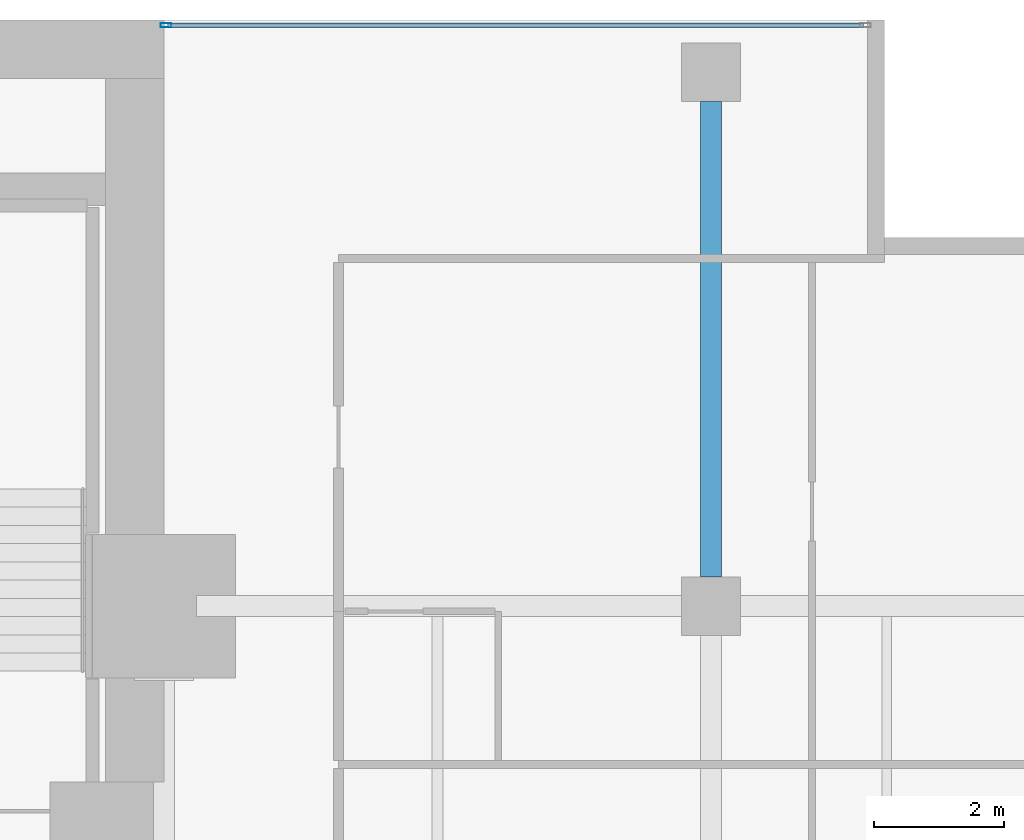
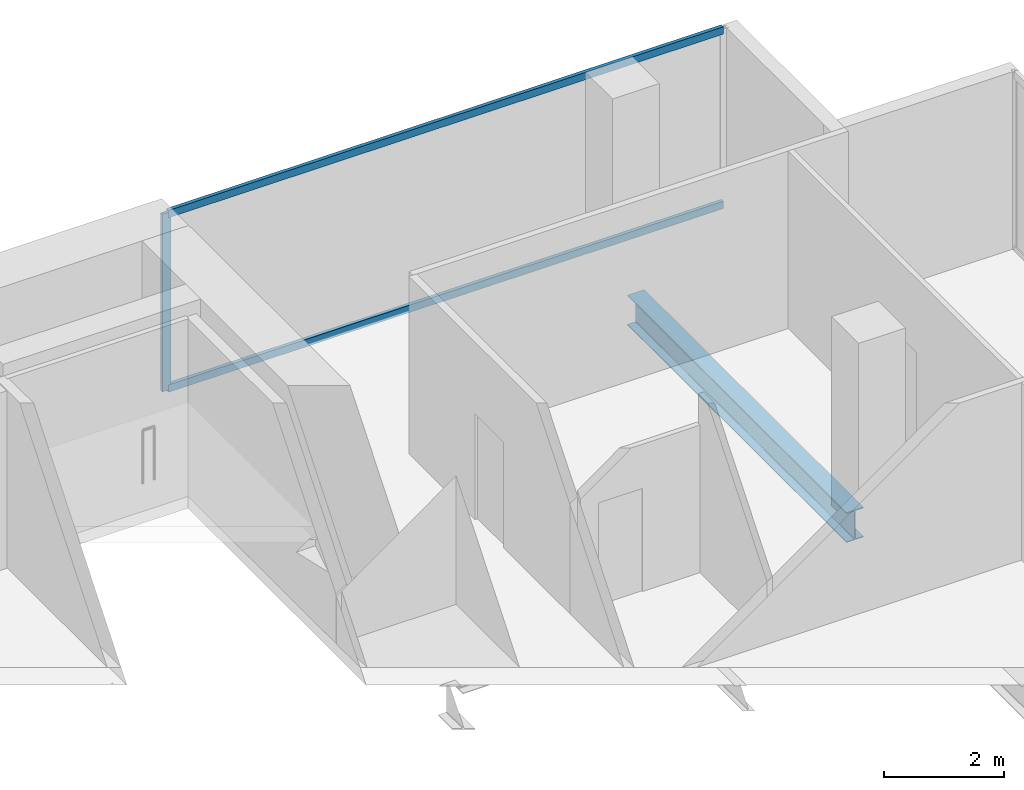
# One storey, part 30 of 40: 3 members, 1 beam, 1 element without a shape of its own.
"""IFC4 building model written with IfcOpenShell, lengths in metres."""

from ifc_helpers import new_model, si_unit, direction, frame, origin, origin_2d, place, context, subcontext, project, spatial, hollow_rectangle, i_section, extrude, material, layer, layer_set, material_profile, profile_set, type_object, element, aggregate, save


model = new_model("IFC4")

# Units and contexts
model_context = context("Model", 3, precision=1e-05, world=origin(), true_north=direction((0.0, 1.0)))
body_context = subcontext(model_context, "Body", "Model", "MODEL_VIEW")
ifc_project = project(units=[si_unit("LENGTHUNIT", "METRE"), si_unit("AREAUNIT", "SQUARE_METRE"), si_unit("VOLUMEUNIT", "CUBIC_METRE"), si_unit("PLANEANGLEUNIT", "RADIAN"), si_unit("MASSUNIT", "GRAM", prefix="KILO")], contexts=[model_context])

# Site, building, storey
site_placement = place(None, origin())
site = spatial("IfcSite", under=ifc_project, at=site_placement, CompositionType="ELEMENT")
building_placement = place(site_placement, origin())
building = spatial("IfcBuilding", under=site, at=building_placement, Name="Maruvema Waterfront Hotel and Observation Tower", CompositionType="ELEMENT")
storey_placement = place(building_placement, frame((0.0, 0.0, 92.39990234375)))
storey = spatial("IfcBuildingStorey", under=building, at=storey_placement, Name="L22", CompositionType="ELEMENT", Elevation=92.39990234375)

# Curtain wall, members
ifc_material_1 = material(Name="Anodised bronze aluminium and solar-control low-E IGU", Category="aluminium")
ifc_layer = layer(ifc_material_1, 0.159912109375, Name="Zone 1 Bronze Inner Thermal Curtain Wall System CW-02")
ifc_layer_set = layer_set([ifc_layer], Name="Anodised bronze aluminium and solar-control low-E IGU")
curtain_wall_type = type_object("IfcCurtainWallType", Name="Zone 1 Bronze Inner Thermal Curtain Wall System CW-02", PredefinedType="USERDEFINED", material=ifc_layer_set)
curtain_wall_placement = place(storey_placement, origin())
curtain_wall = element("IfcCurtainWall", 1, at=curtain_wall_placement, inside=storey, type_object=curtain_wall_type, Name="L22 Curtain Wall CW-L22-NE", ObjectType="UNITISED CURTAIN WALL", PredefinedType="USERDEFINED")
ifc_material_2 = material(Name="Anodised architectural bronze aluminium", Category="aluminium")
ifc_material_profile_1 = material_profile(ifc_material_2, hollow_rectangle(XDim=0.070068359375, YDim=0.14990234375, WallThickness=0.00390625, at=origin_2d()), Name="ALU-T70x150")
ifc_profile_set_1 = profile_set([ifc_material_profile_1], Name="Anodised architectural bronze aluminium")
member_type_1 = type_object("IfcMemberType", Name="Curtain Wall Horizontal Transom ALU-T70x150", PredefinedType="USERDEFINED", material=ifc_profile_set_1)
member_1_placement = place(storey_placement, frame((61.139892578125, 53.919921875, 0.030029296875), z_axis=(-1.0, 0.0, 0.0), x_axis=(0.0, -1.0, 0.0)))
member_1 = element("IfcMember", 2, at=member_1_placement, type_object=member_type_1, Name="CW-02 transom 1.1", ObjectType="TRANSOM", PredefinedType="USERDEFINED", context=body_context, shape_type="SweptSolid", body=[
    extrude(hollow_rectangle(XDim=0.070068359375, YDim=0.14990234375, WallThickness=0.00390625, at=origin_2d()), origin(), (0.0, 0.0, 1.0), 10.679931640625),
])
member_2_placement = place(storey_placement, frame((61.139892578125, 53.919921875, 3.580078125), z_axis=(-1.0, 0.0, 0.0), x_axis=(0.0, -1.0, 0.0)))
member_2 = element("IfcMember", 3, at=member_2_placement, type_object=member_type_1, Name="CW-02 transom 1.2", ObjectType="TRANSOM", PredefinedType="USERDEFINED", context=body_context, shape_type="SweptSolid", body=[
    extrude(hollow_rectangle(XDim=0.070068359375, YDim=0.14990234375, WallThickness=0.00390625, at=origin_2d()), origin(), (0.0, 0.0, 1.0), 10.679931640625),
])
ifc_material_3 = material(Name="Anodised architectural bronze aluminium", Category="aluminium")
ifc_material_profile_2 = material_profile(ifc_material_3, hollow_rectangle(XDim=0.06494140625, YDim=0.1650390625, WallThickness=0.00390625, at=origin_2d()), Name="ALU-M65x165")
ifc_profile_set_2 = profile_set([ifc_material_profile_2], Name="Anodised architectural bronze aluminium")
member_type_2 = type_object("IfcMemberType", Name="Curtain Wall Primary Mullion ALU-M65x165", PredefinedType="MULLION", material=ifc_profile_set_2)
member_3_placement = place(storey_placement, frame((50.429931640625, 53.919921875, 0.0), z_axis=(0.0, 0.0, 1.0), x_axis=(0.0, -1.0, 0.0)))
member_3 = element("IfcMember", 4, at=member_3_placement, type_object=member_type_2, Name="CW-02 mullion 2", PredefinedType="MULLION", context=body_context, shape_type="SweptSolid", body=[
    extrude(hollow_rectangle(XDim=0.06494140625, YDim=0.1650390625, WallThickness=0.00390625, at=origin_2d()), origin(), (0.0, 0.0, 1.0), 3.610107421875),
])
aggregate(curtain_wall, [member_3, member_1, member_2])

# Beam
ifc_material_4 = material(Name="Steel ASTM A572 Grade 50", Category="steel")
ifc_material_profile_3 = material_profile(ifc_material_4, i_section(OverallWidth=0.323974609375, OverallDepth=0.611083984375, WebThickness=0.0126953125, FlangeThickness=0.01904296875, FilletRadius=0.01806640625, at=origin_2d()), Name="W610x155.0")
ifc_profile_set_3 = profile_set([ifc_material_profile_3], Name="Steel ASTM A572 Grade 50")
beam_type = type_object("IfcBeamType", Name="Primary Floor Girder W610x155.0", PredefinedType="BEAM", material=ifc_profile_set_3)
beam_placement = place(storey_placement, frame((58.800048828125, 45.449951171875, -0.54541015625), z_axis=(0.0, 1.0, 0.0), x_axis=(-1.0, 0.0, 0.0)))
element("IfcBeam", 5, at=beam_placement, inside=storey, type_object=beam_type, Name="L22 Floor Girder NS-32", PredefinedType="BEAM", context=body_context, shape_type="SweptSolid", body=[
    extrude(i_section(OverallWidth=0.323974609375, OverallDepth=0.611083984375, WebThickness=0.0126953125, FlangeThickness=0.01904296875, FilletRadius=0.01806640625, at=origin_2d()), origin(), (0.0, 0.0, 1.0), 7.300048828125),
])

save(model, "model.ifc")
